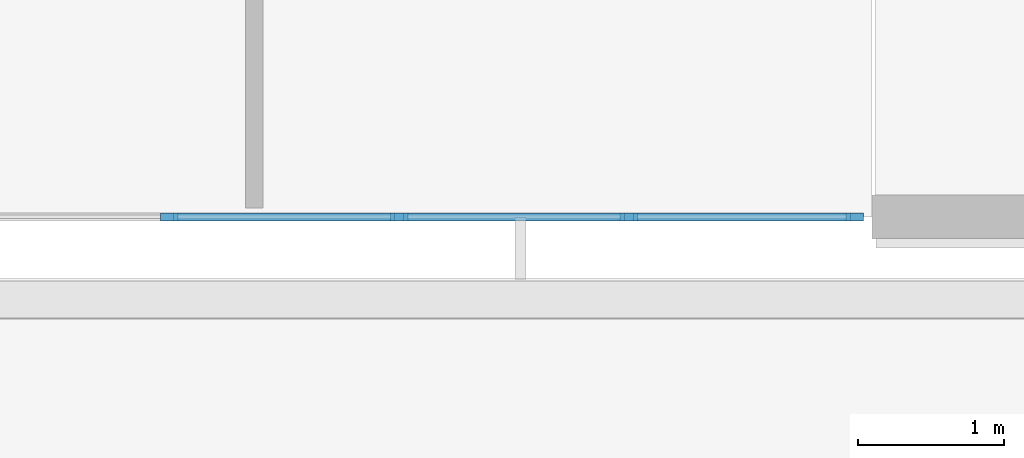
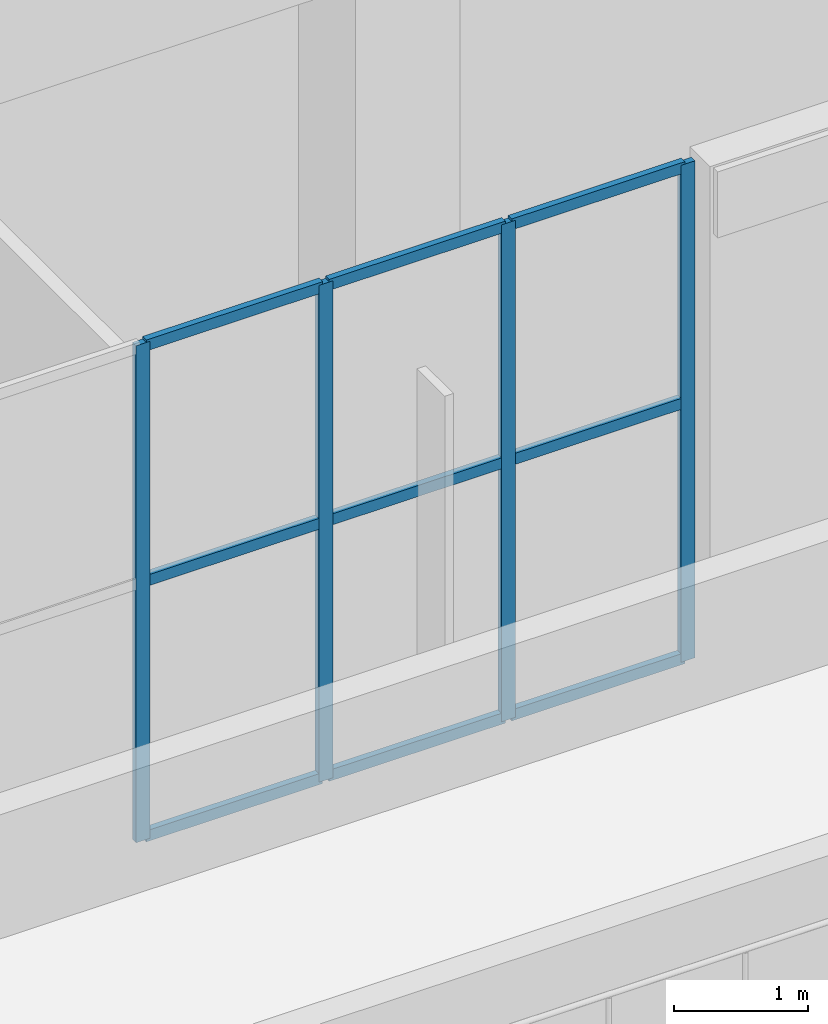
# One storey, part 12 of 96: 13 members, 1 element without a shape of its own.
"""IFC4 building model written with IfcOpenShell, lengths in metres."""

import ifcopenshell
import ifcopenshell.guid

model = None  # the IFC model being written
_history = None  # IfcOwnerHistory: only IFC2X3 demands one
_inside = {}  # id of a spatial element -> (the spatial element, [elements in it])
_under = {}  # id of a project, library or spatial element -> (it, [spatial elements below it])
_declared = {}  # id of a project -> (the project, [libraries it declares])
_typed = {}  # id of a type object -> (the type object, [elements of that type])
_made_of = {}  # id of a material, layer set ... -> (it, [elements and type objects made of it])


def new_model(schema):
    """Start an empty IFC model of exactly this schema.

    Asked for "IFC4X3", IfcOpenShell would pick the latest addendum, in which some entities
    have other attributes; the version numbers below select the first issue.
    IFC2X3 requires an IfcOwnerHistory on every rooted entity: one is made here for all.
    """
    global model, _history
    if schema == "IFC4X3":
        model = ifcopenshell.file(schema_version=(4, 3, 0, 0))
    else:
        model = ifcopenshell.file(schema=schema)
    _inside.clear()
    _under.clear()
    _declared.clear()
    _typed.clear()
    _made_of.clear()
    _history = None
    if model.schema == "IFC2X3":
        org = make("IfcOrganization", Name="unknown")
        user = make(
            "IfcPersonAndOrganization",
            ThePerson=make("IfcPerson", FamilyName="unknown"),
            TheOrganization=org,
        )
        app = make(
            "IfcApplication",
            ApplicationDeveloper=org,
            Version="unknown",
            ApplicationFullName="unknown",
            ApplicationIdentifier="unknown",
        )
        _history = make(
            "IfcOwnerHistory",
            OwningUser=user,
            OwningApplication=app,
            ChangeAction="ADDED",
            CreationDate=0,
        )
    return model


def make(cls, **values):
    """One entity of the class cls with the attributes given. An attribute that is None is left unset."""
    return model.create_entity(
        cls, **{name: value for name, value in values.items() if value is not None}
    )


def rooted(cls, **values):
    """An entity with a GlobalId (a new one), such as an element, a storey or a relation."""
    return make(cls, GlobalId=ifcopenshell.guid.new(), OwnerHistory=_history, **values)


def si_unit(unit_type, name, prefix=None):
    """IfcSIUnit, for example si_unit("LENGTHUNIT", "METRE", prefix="MILLI")."""
    return make("IfcSIUnit", UnitType=unit_type, Prefix=prefix, Name=name)


def assignment(units):
    """IfcUnitAssignment: the units of a project."""
    return None if units is None else make("IfcUnitAssignment", Units=units)


def point(xyz):
    """IfcCartesianPoint."""
    return None if xyz is None else make("IfcCartesianPoint", Coordinates=xyz)


def direction(xyz):
    """IfcDirection."""
    return None if xyz is None else make("IfcDirection", DirectionRatios=xyz)


def frame(location, z_axis=None, x_axis=None):
    """IfcAxis2Placement3D, a coordinate frame: its origin and axes. An axis left out is left unset."""
    return make(
        "IfcAxis2Placement3D",
        Location=point(location),
        Axis=direction(z_axis),
        RefDirection=direction(x_axis),
    )


def frame_2d(location, x_axis=None):
    """IfcAxis2Placement2D, a coordinate frame in the plane: its origin and x axis."""
    return make(
        "IfcAxis2Placement2D", Location=point(location), RefDirection=direction(x_axis)
    )


def origin():
    """The frame at (0, 0, 0) with its axes left unset."""
    return frame((0.0, 0.0, 0.0))


def origin_2d():
    """The frame at (0, 0) in the plane with its x axis left unset."""
    return frame_2d((0.0, 0.0))


def place(relative_to, where):
    """IfcLocalPlacement: puts the frame where relative to a parent placement (None: the world)."""
    return make(
        "IfcLocalPlacement", PlacementRelTo=relative_to, RelativePlacement=where
    )


def context(
    kind, dimensions, precision=None, world=None, true_north=None, identifier=None
):
    """IfcGeometricRepresentationContext, for example the 3D "Model" context."""
    return make(
        "IfcGeometricRepresentationContext",
        ContextIdentifier=identifier,
        ContextType=kind,
        CoordinateSpaceDimension=dimensions,
        Precision=precision,
        WorldCoordinateSystem=world,
        TrueNorth=true_north,
    )


def subcontext(parent, identifier, kind, view, scale=None):
    """IfcGeometricRepresentationSubContext, for example "Body" below "Model"."""
    return make(
        "IfcGeometricRepresentationSubContext",
        ContextIdentifier=identifier,
        ContextType=kind,
        ParentContext=parent,
        TargetScale=scale,
        TargetView=view,
    )


def project(units=None, contexts=None):
    """IfcProject with its units and contexts."""
    return rooted(
        "IfcProject",
        Name="project",
        RepresentationContexts=contexts,
        UnitsInContext=assignment(units),
    )


def spatial(cls, under=None, at=None, **own):
    """A site, building, storey or space (cls), placed at a placement, below another one or the project."""
    s = rooted(cls, ObjectPlacement=at, **own)
    if under is not None:
        _under.setdefault(under.id(), (under, []))[1].append(s)
    return s


def profile(cls, at=None, kind="AREA", **sizes):
    """A parametric profile (cls). Its sizes go by their IFC names, for example OverallWidth=200.0."""
    return make(cls, ProfileType=kind, Position=at, **sizes)


def rectangle(**sizes):
    """IfcRectangleProfileDef."""
    return profile("IfcRectangleProfileDef", **sizes)


def extrude(swept, where, along, depth):
    """IfcExtrudedAreaSolid: the profile swept, set in the frame where, extruded along a direction by depth."""
    return make(
        "IfcExtrudedAreaSolid",
        SweptArea=swept,
        Position=where,
        ExtrudedDirection=direction(along),
        Depth=depth,
    )


def shape(context_of_items, identifier, shape_type, items):
    """IfcShapeRepresentation: the items that make up one representation, for example the "Body"."""
    return make(
        "IfcShapeRepresentation",
        ContextOfItems=context_of_items,
        RepresentationIdentifier=identifier,
        RepresentationType=shape_type,
        Items=items,
    )


def material(Name=None, Category=None):
    """IfcMaterial."""
    return make("IfcMaterial", Name=Name, Category=Category)


def layer(
    of_material, thickness, ventilated=None, Name=None, Category=None, Priority=None
):
    """IfcMaterialLayer: one layer of a wall or slab, of a material (None: an air gap)."""
    return make(
        "IfcMaterialLayer",
        Material=of_material,
        LayerThickness=thickness,
        IsVentilated=ventilated,
        Name=Name,
        Category=Category,
        Priority=Priority,
    )


def layer_set(layers, Name=None):
    """IfcMaterialLayerSet."""
    return make("IfcMaterialLayerSet", MaterialLayers=layers, LayerSetName=Name)


def material_profile(
    of_material, cross_section, Name=None, Category=None, Priority=None
):
    """IfcMaterialProfile: a cross section and its material."""
    return make(
        "IfcMaterialProfile",
        Name=Name,
        Material=of_material,
        Profile=cross_section,
        Priority=Priority,
        Category=Category,
    )


def profile_set(profiles, Name=None, composite=None):
    """IfcMaterialProfileSet."""
    return make(
        "IfcMaterialProfileSet",
        Name=Name,
        MaterialProfiles=profiles,
        CompositeProfile=composite,
    )


def made_of(thing, what):
    """Note that an element or type object is made of a material, layer set ...; save() writes the relation."""
    if what is not None:
        _made_of.setdefault(what.id(), (what, []))[1].append(thing)
    return thing


def type_object(cls, material=None, **own):
    """A type object (cls), such as IfcWallType, which elements share."""
    return made_of(rooted(cls, **own), material)


def element(
    cls,
    number,
    at=None,
    inside=None,
    cuts=None,
    type_object=None,
    material=None,
    context=None,
    identifier="Body",
    shape_type=None,
    held_by="IfcProductDefinitionShape",
    body=None,
    shapes=None,
    **own,
):
    """One element of the class cls, such as IfcWall. Its Tag is "e" and its number.

    at: its placement. inside: the storey or other place that contains it. cuts: it is an
    opening in that element (IfcRelVoidsElement). A single representation is given by context,
    identifier, shape_type and body (its items); several are given by shapes. held_by: the class
    of the entity that holds the representations. save() writes the other relations.
    """
    e = rooted(cls, Tag="e%d" % number, ObjectPlacement=at, **own)
    if body is not None:
        shapes = [shape(context, identifier, shape_type, body)]
    if shapes is not None:
        e.Representation = make(held_by, Representations=shapes)
    if inside is not None:
        _inside.setdefault(inside.id(), (inside, []))[1].append(e)
    if cuts is not None:
        rooted(
            "IfcRelVoidsElement", RelatingBuildingElement=cuts, RelatedOpeningElement=e
        )
    if type_object is not None:
        _typed.setdefault(type_object.id(), (type_object, []))[1].append(e)
    return made_of(e, material)


def aggregate(whole, parts):
    """IfcRelAggregates: a whole, such as a stair, and the parts it consists of."""
    return rooted("IfcRelAggregates", RelatingObject=whole, RelatedObjects=parts)


def save(model, path):
    """Write the relations noted so far, then the file.

    IfcRelAggregates (storeys below a building ...), IfcRelContainedInSpatialStructure (elements
    in a storey), IfcRelDefinesByType, IfcRelAssociatesMaterial and IfcRelDeclares: one each for
    every whole, place, type object, material and project.
    """
    for whole, parts in _under.values():
        aggregate(whole, parts)
    for where, things in _inside.values():
        rooted(
            "IfcRelContainedInSpatialStructure",
            RelatedElements=things,
            RelatingStructure=where,
        )
    for kind, things in _typed.values():
        rooted("IfcRelDefinesByType", RelatedObjects=things, RelatingType=kind)
    for what, things in _made_of.values():
        rooted("IfcRelAssociatesMaterial", RelatedObjects=things, RelatingMaterial=what)
    for by, libraries in _declared.values():
        rooted("IfcRelDeclares", RelatingContext=by, RelatedDefinitions=libraries)
    model.write(path)


model = new_model("IFC4")

# Units and contexts
model_context = context("Model", 3, precision=1e-05, world=origin(), true_north=direction((0.0, 1.0)))
body_context = subcontext(model_context, "Body", "Model", "MODEL_VIEW")
ifc_project = project(units=[si_unit("LENGTHUNIT", "METRE"), si_unit("AREAUNIT", "SQUARE_METRE"), si_unit("VOLUMEUNIT", "CUBIC_METRE"), si_unit("PLANEANGLEUNIT", "RADIAN"), si_unit("MASSUNIT", "GRAM", prefix="KILO")], contexts=[model_context])

# Site, building, storey
site_placement = place(None, origin())
site = spatial("IfcSite", under=ifc_project, at=site_placement, CompositionType="ELEMENT")
building_placement = place(site_placement, origin())
building = spatial("IfcBuilding", under=site, at=building_placement, Name="Cendralis Terraced Arcade", CompositionType="ELEMENT")
storey_placement = place(building_placement, frame((0.0, 0.0, 10.199951171875)))
storey = spatial("IfcBuildingStorey", under=building, at=storey_placement, Name="L02", CompositionType="ELEMENT", Elevation=10.199951171875)

# Curtain wall, members
ifc_material = material(Name="Anodised aluminium EN AW-6063 T6", Category="aluminium")
ifc_layer = layer(ifc_material, 0.1201171875, Name="CW-STORE-B")
ifc_layer_set = layer_set([ifc_layer], Name="Anodised aluminium EN AW-6063 T6")
curtain_wall_type = type_object("IfcCurtainWallType", Name="CW-STORE-B", PredefinedType="USERDEFINED", material=ifc_layer_set)
curtain_wall_placement = place(storey_placement, origin())
curtain_wall = element("IfcCurtainWall", 1, at=curtain_wall_placement, inside=storey, type_object=curtain_wall_type, Name="Exterior Storefront Glazing CW-L02-0128", ObjectType="STOREFRONT GLAZING", PredefinedType="USERDEFINED")
ifc_material_profile_1 = material_profile(ifc_material, rectangle(XDim=0.054931640625, YDim=0.1201171875, at=origin_2d()), Name="ALU-MUL-55x120")
ifc_profile_set_1 = profile_set([ifc_material_profile_1], Name="Anodised aluminium EN AW-6063 T6")
member_type_1 = type_object("IfcMemberType", Name="CW-STORE-B-MUL", PredefinedType="MULLION", material=ifc_profile_set_1)
member_1_placement = place(storey_placement, frame((28.6826171875, 64.800048828125, 0.0), z_axis=(0.0, 0.0, 1.0), x_axis=(0.0, -1.0, 0.0)))
member_1 = element("IfcMember", 2, at=member_1_placement, type_object=member_type_1, Name="CW-S2 mullion 1", PredefinedType="MULLION", context=body_context, shape_type="SweptSolid", body=[
    extrude(rectangle(XDim=0.054931640625, YDim=0.1201171875, at=origin_2d()), origin(), (0.0, 0.0, 1.0), 4.51513671875),
])
member_2_placement = place(storey_placement, frame((27.139892578125, 64.800048828125, 0.0), z_axis=(0.0, 0.0, 1.0), x_axis=(0.0, -1.0, 0.0)))
member_2 = element("IfcMember", 3, at=member_2_placement, type_object=member_type_1, Name="CW-S2 mullion 2", PredefinedType="MULLION", context=body_context, shape_type="SweptSolid", body=[
    extrude(rectangle(XDim=0.054931640625, YDim=0.1201171875, at=origin_2d()), origin(), (0.0, 0.0, 1.0), 4.51513671875),
])
member_3_placement = place(storey_placement, frame((25.570068359375, 64.800048828125, 0.0), z_axis=(0.0, 0.0, 1.0), x_axis=(0.0, -1.0, 0.0)))
member_3 = element("IfcMember", 4, at=member_3_placement, type_object=member_type_1, Name="CW-S2 mullion 3", PredefinedType="MULLION", context=body_context, shape_type="SweptSolid", body=[
    extrude(rectangle(XDim=0.054931640625, YDim=0.1201171875, at=origin_2d()), origin(), (0.0, 0.0, 1.0), 4.51513671875),
])
member_4_placement = place(storey_placement, frame((24.0, 64.800048828125, 0.0), z_axis=(0.0, 0.0, 1.0), x_axis=(0.0, -1.0, 0.0)))
member_4 = element("IfcMember", 5, at=member_4_placement, type_object=member_type_1, Name="CW-S2 mullion 4", PredefinedType="MULLION", context=body_context, shape_type="SweptSolid", body=[
    extrude(rectangle(XDim=0.054931640625, YDim=0.1201171875, at=origin_2d()), origin(), (0.0, 0.0, 1.0), 4.51513671875),
])
ifc_material_profile_2 = material_profile(ifc_material, rectangle(XDim=0.054931640625, YDim=0.10009765625, at=origin_2d()), Name="ALU-TRN-55x100")
ifc_profile_set_2 = profile_set([ifc_material_profile_2], Name="Anodised aluminium EN AW-6063 T6")
member_type_2 = type_object("IfcMemberType", Name="CW-STORE-B-TRN", PredefinedType="USERDEFINED", material=ifc_profile_set_2)
member_5_placement = place(storey_placement, frame((28.655029296875, 64.800048828125, 0.027587890625), z_axis=(-1.0, 0.0, 0.0), x_axis=(0.0, -1.0, 0.0)))
member_5 = element("IfcMember", 6, at=member_5_placement, type_object=member_type_2, Name="CW-S2 transom 1.1", ObjectType="TRANSOM", PredefinedType="USERDEFINED", context=body_context, shape_type="SweptSolid", body=[
    extrude(rectangle(XDim=0.054931640625, YDim=0.10009765625, at=origin_2d()), origin(), (0.0, 0.0, 1.0), 1.487548828125),
])
member_6_placement = place(storey_placement, frame((28.655029296875, 64.800048828125, 2.347900390625), z_axis=(-1.0, 0.0, 0.0), x_axis=(0.0, -1.0, 0.0)))
member_6 = element("IfcMember", 7, at=member_6_placement, type_object=member_type_2, Name="CW-S2 transom 1.2", ObjectType="TRANSOM", PredefinedType="USERDEFINED", context=body_context, shape_type="SweptSolid", body=[
    extrude(rectangle(XDim=0.054931640625, YDim=0.10009765625, at=origin_2d()), origin(), (0.0, 0.0, 1.0), 1.487548828125),
])
member_7_placement = place(storey_placement, frame((28.655029296875, 64.800048828125, 4.487548828125), z_axis=(-1.0, 0.0, 0.0), x_axis=(0.0, -1.0, 0.0)))
member_7 = element("IfcMember", 8, at=member_7_placement, type_object=member_type_2, Name="CW-S2 transom 1.3", ObjectType="TRANSOM", PredefinedType="USERDEFINED", context=body_context, shape_type="SweptSolid", body=[
    extrude(rectangle(XDim=0.054931640625, YDim=0.10009765625, at=origin_2d()), origin(), (0.0, 0.0, 1.0), 1.487548828125),
])
member_8_placement = place(storey_placement, frame((27.112548828125, 64.800048828125, 0.027587890625), z_axis=(-1.0, 0.0, 0.0), x_axis=(0.0, -1.0, 0.0)))
member_8 = element("IfcMember", 9, at=member_8_placement, type_object=member_type_2, Name="CW-S2 transom 2.1", ObjectType="TRANSOM", PredefinedType="USERDEFINED", context=body_context, shape_type="SweptSolid", body=[
    extrude(rectangle(XDim=0.054931640625, YDim=0.10009765625, at=origin_2d()), origin(), (0.0, 0.0, 1.0), 1.51513671875),
])
member_9_placement = place(storey_placement, frame((27.112548828125, 64.800048828125, 2.347900390625), z_axis=(-1.0, 0.0, 0.0), x_axis=(0.0, -1.0, 0.0)))
member_9 = element("IfcMember", 10, at=member_9_placement, type_object=member_type_2, Name="CW-S2 transom 2.2", ObjectType="TRANSOM", PredefinedType="USERDEFINED", context=body_context, shape_type="SweptSolid", body=[
    extrude(rectangle(XDim=0.054931640625, YDim=0.10009765625, at=origin_2d()), origin(), (0.0, 0.0, 1.0), 1.51513671875),
])
member_10_placement = place(storey_placement, frame((27.112548828125, 64.800048828125, 4.487548828125), z_axis=(-1.0, 0.0, 0.0), x_axis=(0.0, -1.0, 0.0)))
member_10 = element("IfcMember", 11, at=member_10_placement, type_object=member_type_2, Name="CW-S2 transom 2.3", ObjectType="TRANSOM", PredefinedType="USERDEFINED", context=body_context, shape_type="SweptSolid", body=[
    extrude(rectangle(XDim=0.054931640625, YDim=0.10009765625, at=origin_2d()), origin(), (0.0, 0.0, 1.0), 1.51513671875),
])
member_11_placement = place(storey_placement, frame((25.54248046875, 64.800048828125, 0.027587890625), z_axis=(-1.0, 0.0, 0.0), x_axis=(0.0, -1.0, 0.0)))
member_11 = element("IfcMember", 12, at=member_11_placement, type_object=member_type_2, Name="CW-S2 transom 3.1", ObjectType="TRANSOM", PredefinedType="USERDEFINED", context=body_context, shape_type="SweptSolid", body=[
    extrude(rectangle(XDim=0.054931640625, YDim=0.10009765625, at=origin_2d()), origin(), (0.0, 0.0, 1.0), 1.514892578125),
])
member_12_placement = place(storey_placement, frame((25.54248046875, 64.800048828125, 2.347900390625), z_axis=(-1.0, 0.0, 0.0), x_axis=(0.0, -1.0, 0.0)))
member_12 = element("IfcMember", 13, at=member_12_placement, type_object=member_type_2, Name="CW-S2 transom 3.2", ObjectType="TRANSOM", PredefinedType="USERDEFINED", context=body_context, shape_type="SweptSolid", body=[
    extrude(rectangle(XDim=0.054931640625, YDim=0.10009765625, at=origin_2d()), origin(), (0.0, 0.0, 1.0), 1.514892578125),
])
member_13_placement = place(storey_placement, frame((25.54248046875, 64.800048828125, 4.487548828125), z_axis=(-1.0, 0.0, 0.0), x_axis=(0.0, -1.0, 0.0)))
member_13 = element("IfcMember", 14, at=member_13_placement, type_object=member_type_2, Name="CW-S2 transom 3.3", ObjectType="TRANSOM", PredefinedType="USERDEFINED", context=body_context, shape_type="SweptSolid", body=[
    extrude(rectangle(XDim=0.054931640625, YDim=0.10009765625, at=origin_2d()), origin(), (0.0, 0.0, 1.0), 1.514892578125),
])
aggregate(curtain_wall, [member_1, member_2, member_3, member_4, member_5, member_6, member_7, member_8, member_9, member_10, member_11, member_12, member_13])

save(model, "model.ifc")
